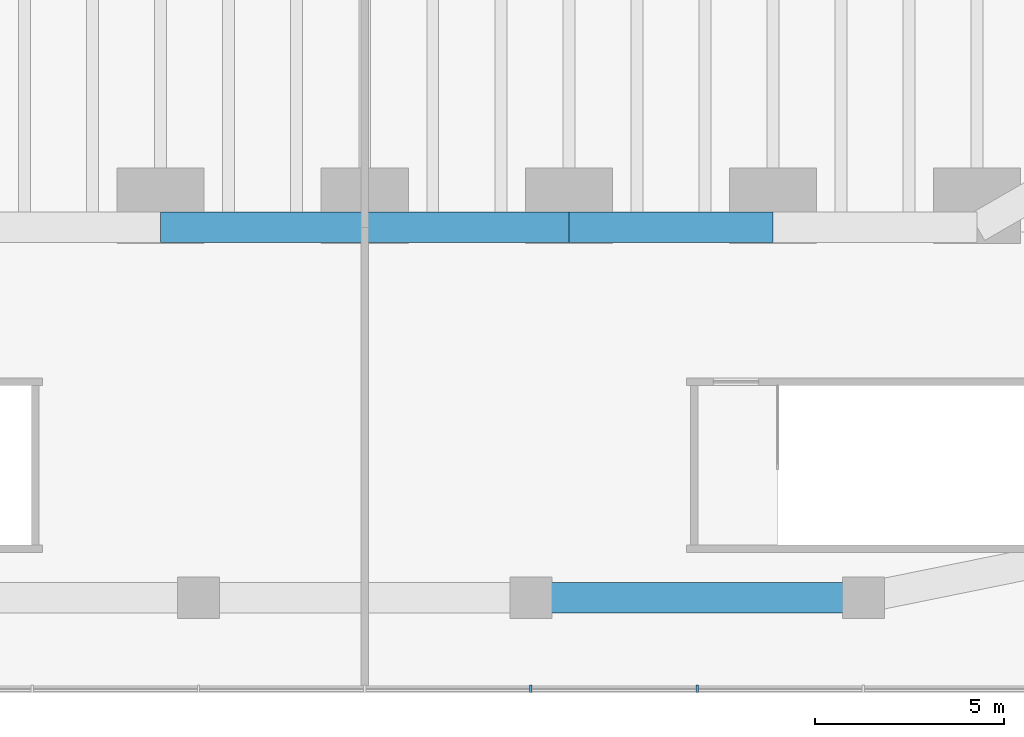
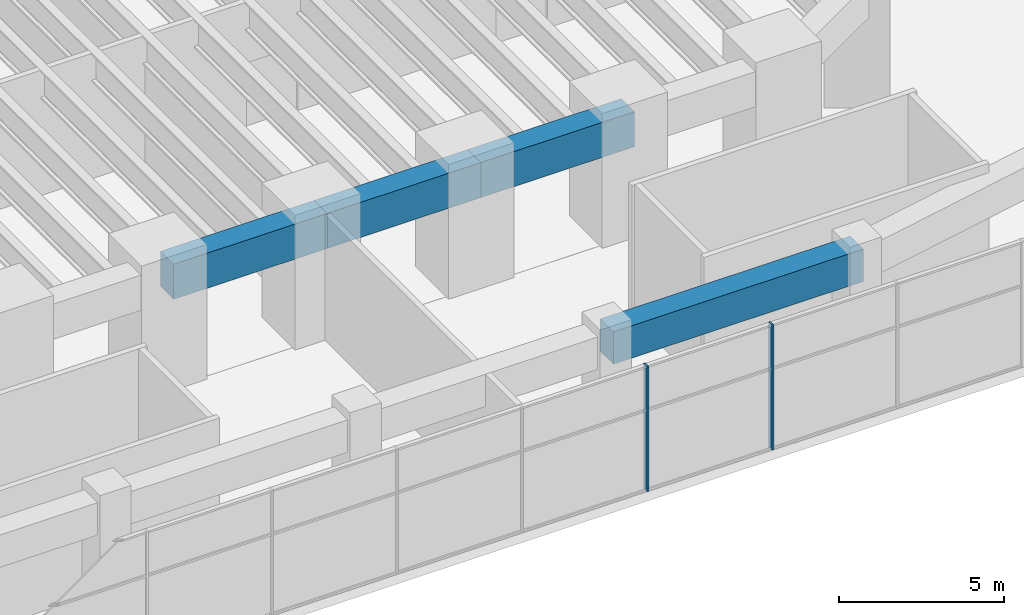
# One storey, part 7 of 31: 4 beams, 2 members, 1 element without a shape of its own.
"""IFC4 building model written with IfcOpenShell, lengths in metres."""

from ifc_helpers import new_model, si_unit, direction, frame, origin, origin_2d, place, context, subcontext, project, spatial, rectangle, extrude, material, material_profile, profile_set, type_object, element, aggregate, save


model = new_model("IFC4")

# Units and contexts
model_context = context("Model", 3, precision=1e-05, world=origin(), true_north=direction((0.0, 1.0)))
body_context = subcontext(model_context, "Body", "Model", "MODEL_VIEW")
ifc_project = project(units=[si_unit("LENGTHUNIT", "METRE"), si_unit("AREAUNIT", "SQUARE_METRE"), si_unit("VOLUMEUNIT", "CUBIC_METRE"), si_unit("PLANEANGLEUNIT", "RADIAN"), si_unit("MASSUNIT", "GRAM", prefix="KILO")], contexts=[model_context])

# Site, building, storey
site_placement = place(None, origin())
site = spatial("IfcSite", under=ifc_project, at=site_placement, CompositionType="ELEMENT")
building_placement = place(site_placement, origin())
building = spatial("IfcBuilding", under=site, at=building_placement, Name="Tarfa Lantern Tower", CompositionType="ELEMENT")
storey_placement = place(building_placement, frame((0.0, 0.0, 18.5)))
storey = spatial("IfcBuildingStorey", under=building, at=storey_placement, Name="L03", CompositionType="ELEMENT", Elevation=18.5)

# Curtain wall, members
ifc_material_1 = material(Name="Aluminium framed curtain wall", Category="aluminium")
curtain_wall_type = type_object("IfcCurtainWallType", Name="CW7 PODIUM GLAZING 4650", PredefinedType="USERDEFINED", material=ifc_material_1)
curtain_wall_placement = place(storey_placement, origin())
curtain_wall = element("IfcCurtainWall", 1, at=curtain_wall_placement, inside=storey, type_object=curtain_wall_type, Name="CW7 S L03", ObjectType="CURTAIN WALL", PredefinedType="USERDEFINED")
ifc_material_2 = material(Name="Aluminium mullion", Category="aluminium")
ifc_material_profile_1 = material_profile(ifc_material_2, rectangle(XDim=0.06494140625, YDim=0.199951171875, at=origin_2d()), Name="AL MULLION 65x200")
ifc_profile_set_1 = profile_set([ifc_material_profile_1], Name="Aluminium mullion")
member_type = type_object("IfcMemberType", Name="CWM1 MULLION 65x200", PredefinedType="MULLION", material=ifc_profile_set_1)
member_1_placement = place(storey_placement, frame((4.387939453125, -45.89990234375, 0.0), z_axis=(0.0, 0.0, 1.0), x_axis=(1.0, 0.0, 0.0)))
member_1 = element("IfcMember", 2, at=member_1_placement, type_object=member_type, Name="CW7 mullion 7", PredefinedType="MULLION", context=body_context, shape_type="SweptSolid", body=[
    extrude(rectangle(XDim=0.06494140625, YDim=0.199951171875, at=origin_2d()), origin(), (0.0, 0.0, 1.0), 4.64990234375),
])
member_2_placement = place(storey_placement, frame((8.775634765625, -45.89990234375, 0.0), z_axis=(0.0, 0.0, 1.0), x_axis=(1.0, 0.0, 0.0)))
member_2 = element("IfcMember", 3, at=member_2_placement, type_object=member_type, Name="CW7 mullion 8", PredefinedType="MULLION", context=body_context, shape_type="SweptSolid", body=[
    extrude(rectangle(XDim=0.06494140625, YDim=0.199951171875, at=origin_2d()), origin(), (0.0, 0.0, 1.0), 4.64990234375),
])
aggregate(curtain_wall, [member_1, member_2])

# Beams
ifc_material_3 = material(Name="Concrete C80/95", Category="concrete")
ifc_material_profile_2 = material_profile(ifc_material_3, rectangle(XDim=0.800048828125, YDim=1.300048828125, at=origin_2d()), Name="RC 800x1300")
ifc_profile_set_2 = profile_set([ifc_material_profile_2], Name="Concrete C80/95")
beam_type_1 = type_object("IfcBeamType", Name="EB1 RC 800x1300", PredefinedType="SPANDREL", material=ifc_profile_set_2)
for number, where, z_axis, x_axis, name in (
    (4, (-5.388671875, -33.719970703125, 4.0), (1.0, 0.0, 0.0), (0.0, 1.0, 0.0), "Edge beam S2"),
    (5, (0.0, -33.719970703125, 4.0), (1.0, 0.0, 0.0), (0.0, 1.0, 0.0), "Edge beam S3"),
):
    element("IfcBeam", number, at=place(storey_placement, frame(where, z_axis=z_axis, x_axis=x_axis)), inside=storey, type_object=beam_type_1, Name=name, PredefinedType="SPANDREL", context=body_context, shape_type="SweptSolid", body=[
        extrude(rectangle(XDim=0.800048828125, YDim=1.300048828125, at=origin_2d()), origin(), (0.0, 0.0, 1.0), 5.388671875),
    ])
beam_1_placement = place(storey_placement, frame((5.388671875, -33.719970703125, 4.0), z_axis=(1.0, 0.0, 0.0), x_axis=(0.0, 1.0, 0.0)))
element("IfcBeam", 6, at=beam_1_placement, inside=storey, type_object=beam_type_1, Name="Edge beam S4", PredefinedType="SPANDREL", context=body_context, shape_type="SweptSolid", body=[
    extrude(rectangle(XDim=0.800048828125, YDim=1.300048828125, at=origin_2d()), origin(), (0.0, 0.0, 1.0), 5.388427734375),
])
ifc_material_profile_3 = material_profile(ifc_material_3, rectangle(XDim=0.800048828125, YDim=1.199951171875, at=origin_2d()), Name="RC 800x1200")
ifc_profile_set_3 = profile_set([ifc_material_profile_3], Name="Concrete C80/95")
beam_type_2 = type_object("IfcBeamType", Name="PB2 RC 800x1200", PredefinedType="BEAM", material=ifc_profile_set_3)
beam_2_placement = place(storey_placement, frame((4.387939453125, -43.5, 4.050048828125), z_axis=(1.0, 0.0, 0.0), x_axis=(0.0, 1.0, 0.0)))
element("IfcBeam", 7, at=beam_2_placement, inside=storey, type_object=beam_type_2, Name="Podium ring beam S3", PredefinedType="BEAM", context=body_context, shape_type="SweptSolid", body=[
    extrude(rectangle(XDim=0.800048828125, YDim=1.199951171875, at=origin_2d()), origin(), (0.0, 0.0, 1.0), 8.775634765625),
])

save(model, "model.ifc")
